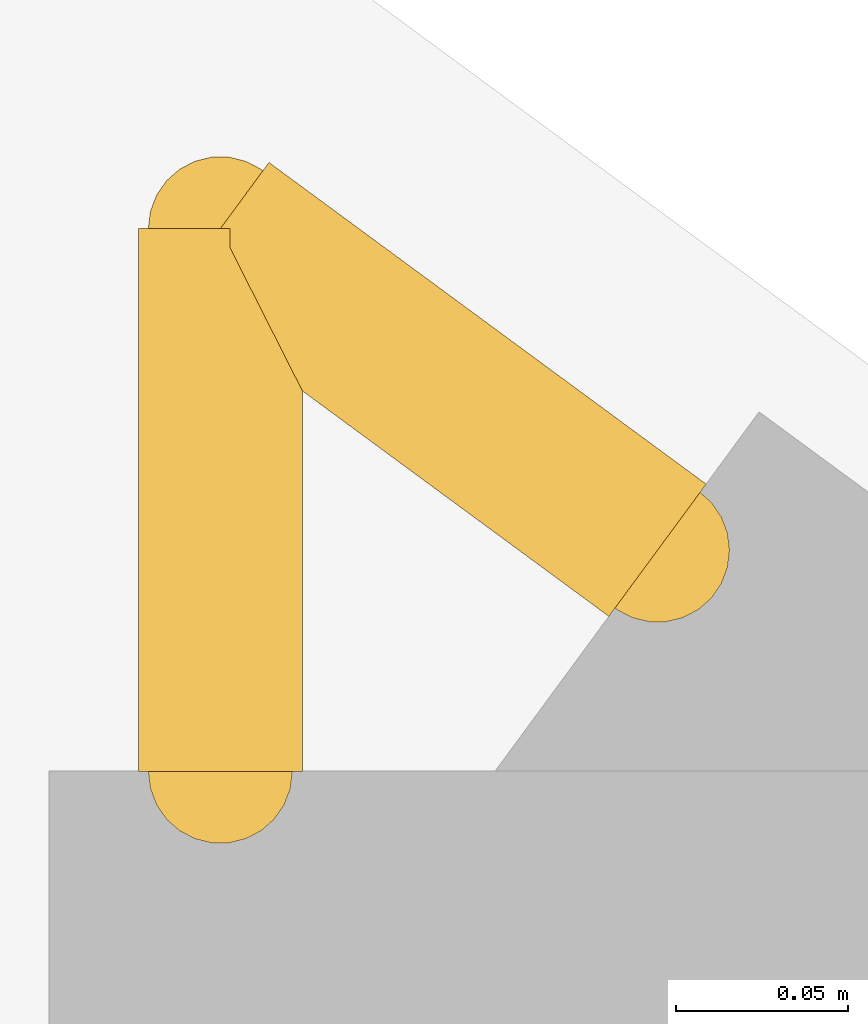
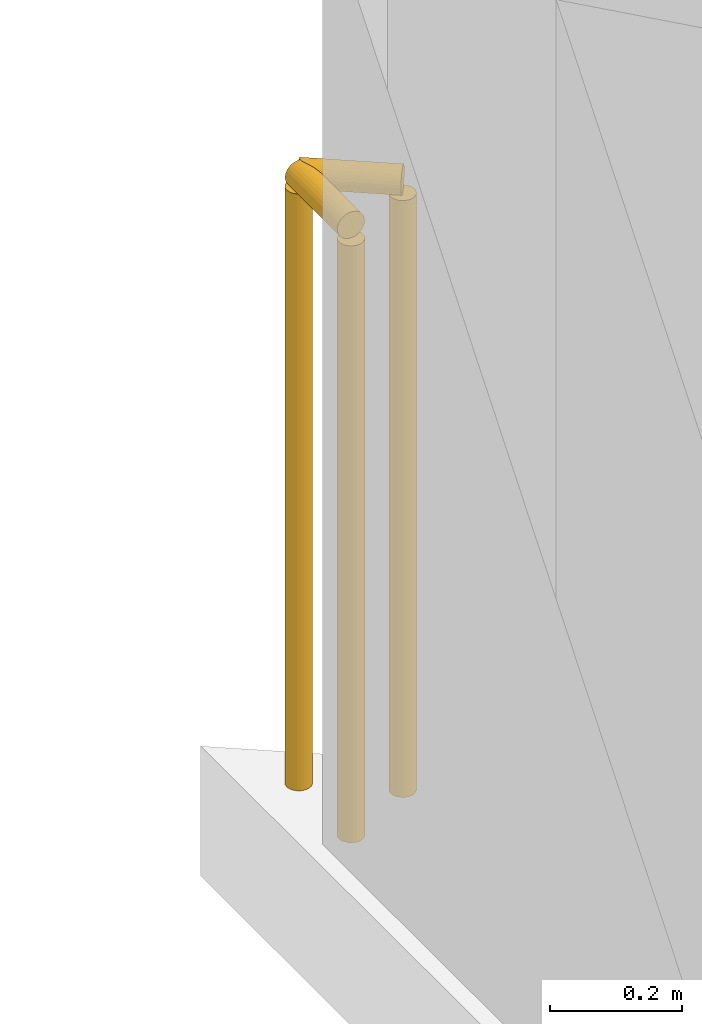
# One storey, part 15 of 15: 2 railings.
"""IFC4 building model written with IfcOpenShell, lengths in metres."""

from ifc_helpers import new_model, si_unit, direction, frame, origin, origin_2d, place, context, subcontext, project, spatial, circle, extrude, material, type_object, element, save


model = new_model("IFC4")

# Units and contexts
model_context = context("Model", 3, precision=1e-05, world=origin(), true_north=direction((0.0, 1.0)))
body_context = subcontext(model_context, "Body", "Model", "MODEL_VIEW")
ifc_project = project(units=[si_unit("LENGTHUNIT", "METRE"), si_unit("AREAUNIT", "SQUARE_METRE"), si_unit("VOLUMEUNIT", "CUBIC_METRE"), si_unit("PLANEANGLEUNIT", "RADIAN"), si_unit("MASSUNIT", "GRAM", prefix="KILO")], contexts=[model_context])

# Site, building, storey
site_placement = place(None, origin())
site = spatial("IfcSite", under=ifc_project, at=site_placement, CompositionType="ELEMENT")
building_placement = place(site_placement, origin())
building = spatial("IfcBuilding", under=site, at=building_placement, Name="Varnakote Quay Hospital", CompositionType="ELEMENT")
storey_placement = place(building_placement, frame((0.0, 0.0, 300.0)))
storey = spatial("IfcBuildingStorey", under=building, at=storey_placement, Name="L74", CompositionType="ELEMENT", Elevation=300.0)

# Railings
ifc_material = material(Name="Anodised aluminium 6063-T6 Bronze", Category="aluminium")
railing_type = type_object("IfcRailingType", Name="RLG-EXT-GUARD-1150", PredefinedType="GUARDRAIL", material=ifc_material)
railing_1_placement = place(storey_placement, frame((2.3798828125, 39.8837890625, 0.0)))
element("IfcRailing", 1, at=railing_1_placement, inside=storey, type_object=railing_type, Name="L74 Slab Edge Perimeter Safety Guard", PredefinedType="GUARDRAIL", context=body_context, shape_type="SweptSolid", body=[
    extrude(circle(Radius=0.02392578125, at=origin_2d()), frame((0.0, 0.0, 1.1259765625), z_axis=(0.0, 1.0, 0.0), x_axis=(-1.0, 0.0, 0.0)), (0.0, 0.0, 1.0), 0.158203125),
    extrude(circle(Radius=0.02099609375, at=origin_2d()), origin(), (0.0, 0.0, 1.0), 1.101806640625),
    extrude(circle(Radius=0.02099609375, at=origin_2d()), frame((0.0, 0.158203125, 0.0)), (0.0, 0.0, 1.0), 1.101806640625),
])
railing_2_placement = place(storey_placement, frame((2.3798828125, 40.0419921875, 0.0)))
element("IfcRailing", 2, at=railing_2_placement, inside=storey, type_object=railing_type, Name="L74 Slab Edge Perimeter Safety Guard", PredefinedType="GUARDRAIL", context=body_context, shape_type="SweptSolid", body=[
    extrude(circle(Radius=0.02392578125, at=origin_2d()), frame((0.0, 0.0, 1.1259765625), z_axis=(0.805521026073, -0.592567191594, 0.0), x_axis=(0.592567191594, 0.805521026073, 0.0)), (0.0, 0.0, 1.0), 0.158203125),
    extrude(circle(Radius=0.02099609375, at=origin_2d()), origin(), (0.0, 0.0, 1.0), 1.101806640625),
    extrude(circle(Radius=0.02099609375, at=origin_2d()), frame((0.12744140625, -0.09375, 0.0)), (0.0, 0.0, 1.0), 1.101806640625),
])

save(model, "model.ifc")
